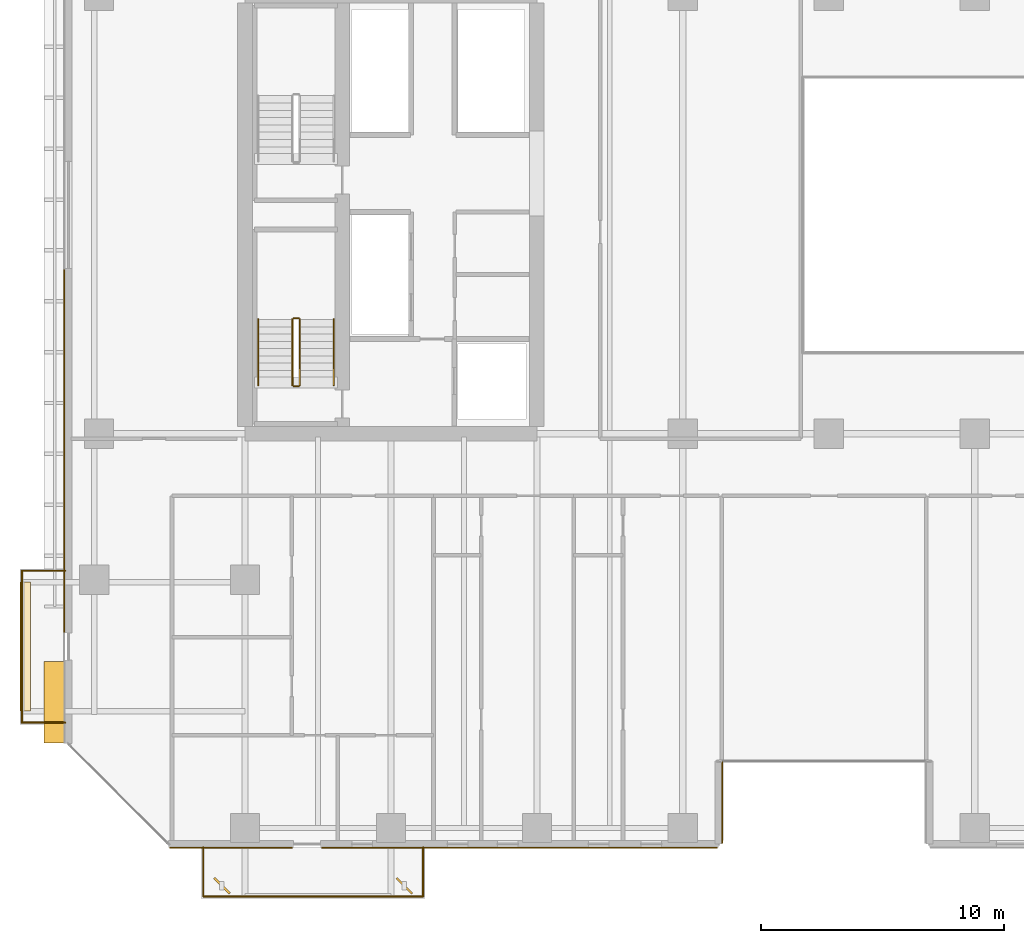
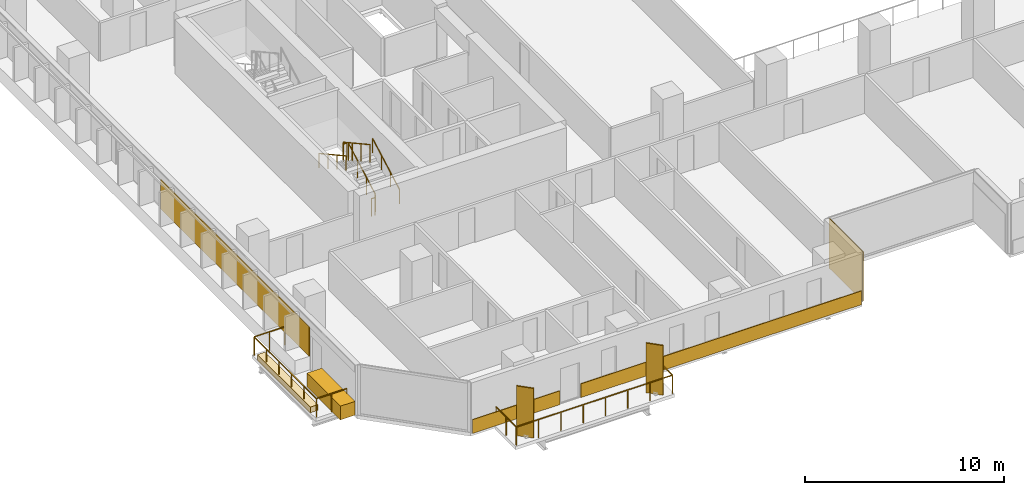
# One storey, part 25 of 33: 8 railings, 6 coverings, 2 shading devices.
"""IFC4 building model written with IfcOpenShell, lengths in metres."""

from ifc_helpers import new_model, si_unit, direction, frame, origin, origin_2d, place, context, subcontext, project, spatial, polyline, rectangle, outline, extrude, material, layer, layer_set, type_object, element, save


model = new_model("IFC4")

# Units and contexts
model_context = context("Model", 3, precision=1e-05, world=origin(), true_north=direction((0.0, 1.0)))
body_context = subcontext(model_context, "Body", "Model", "MODEL_VIEW")
ifc_project = project(units=[si_unit("LENGTHUNIT", "METRE"), si_unit("AREAUNIT", "SQUARE_METRE"), si_unit("VOLUMEUNIT", "CUBIC_METRE"), si_unit("PLANEANGLEUNIT", "RADIAN"), si_unit("MASSUNIT", "GRAM", prefix="KILO")], contexts=[model_context])

# Site, building, storey
site_placement = place(None, origin())
site = spatial("IfcSite", under=ifc_project, at=site_placement, CompositionType="ELEMENT")
building_placement = place(site_placement, origin())
building = spatial("IfcBuilding", under=site, at=building_placement, Name="Tanjung Sevakor Pilgrim Tower", CompositionType="ELEMENT")
storey_placement = place(building_placement, frame((0.0, 0.0, 35.639892578125)))
storey = spatial("IfcBuildingStorey", under=building, at=storey_placement, Name="L09", CompositionType="ELEMENT", Elevation=35.639892578125)

# Coverings
ifc_material_1 = material(Name="Reconstructed Limestone Cladding", Category="masonry")
ifc_layer_1 = layer(ifc_material_1, 0.044921875)
ifc_layer_set_1 = layer_set([ifc_layer_1], Name="COV-CLAD-LIMESTONE")
covering_type_1 = type_object("IfcCoveringType", Name="COV-CLAD-LIMESTONE", PredefinedType="CLADDING", material=ifc_layer_set_1)
covering_1_placement = place(storey_placement, frame((23.4189453125, 7.577392578125, 0.01025390625), z_axis=(0.0, 0.0, 1.0), x_axis=(1.0, 0.0, 0.0)))
element("IfcCovering", 1, at=covering_1_placement, inside=storey, type_object=covering_type_1, Name="L09 Warm Limestone Sill Spandrel EW-L09-MAIN-1-1", PredefinedType="CLADDING", context=body_context, shape_type="SweptSolid", body=[
    extrude(rectangle(XDim=5.0419921875, YDim=0.044921875, at=origin_2d()), origin(), (0.0, 0.0, 1.0), 0.840087890625),
])
covering_2_placement = place(storey_placement, frame((35.2900390625, 7.577392578125, 0.01025390625), z_axis=(0.0, 0.0, 1.0), x_axis=(1.0, 0.0, 0.0)))
element("IfcCovering", 2, at=covering_2_placement, inside=storey, type_object=covering_type_1, Name="L09 Warm Limestone Sill Spandrel EW-L09-MAIN-1-2", PredefinedType="CLADDING", context=body_context, shape_type="SweptSolid", body=[
    extrude(rectangle(XDim=16.260009765625, YDim=0.044921875, at=origin_2d()), origin(), (0.0, 0.0, 1.0), 0.840087890625),
])
covering_3_placement = place(storey_placement, frame((43.62255859375, 9.43994140625, 0.02001953125), z_axis=(0.0, 0.0, 1.0), x_axis=(0.0, 1.0, 0.0)))
element("IfcCovering", 3, at=covering_3_placement, inside=storey, type_object=covering_type_1, Name="L09 Warm Limestone Wall Cladding EW-L09-MAIN-2", PredefinedType="CLADDING", context=body_context, shape_type="SweptSolid", body=[
    extrude(rectangle(XDim=3.360107421875, YDim=0.044921875, at=origin_2d()), origin(), (0.0, 0.0, 1.0), 3.0400390625),
])
covering_4_placement = place(storey_placement, frame((16.169921875, 13.569091796875, 0.01025390625), z_axis=(0.0, 0.0, 1.0), x_axis=(0.0, -1.0, 0.0)))
element("IfcCovering", 4, at=covering_4_placement, inside=storey, type_object=covering_type_1, Name="L09 Warm Limestone Sill Spandrel EW-L09-MAIN-15-2", PredefinedType="CLADDING", context=body_context, shape_type="SweptSolid", body=[
    extrude(rectangle(XDim=3.342041015625, YDim=0.860107421875, at=origin_2d()), origin(), (0.0, 0.0, 1.0), 0.840087890625),
])
covering_5_placement = place(storey_placement, frame((16.577392578125, 23.89990234375, 0.85009765625), z_axis=(0.0, 0.0, 1.0), x_axis=(0.0, -1.0, 0.0)))
element("IfcCovering", 5, at=covering_5_placement, inside=storey, type_object=covering_type_1, Name="L09 Warm Limestone Pier Panel EW-L09-MAIN-15-2", PredefinedType="CLADDING", context=body_context, shape_type="SweptSolid", body=[
    extrude(rectangle(XDim=14.89990234375, YDim=0.044921875, at=origin_2d()), origin(), (0.0, 0.0, 1.0), 1.81005859375),
])
ifc_material_2 = material(Name="Vegetated Modular Planter Assembly", Category="organic")
ifc_layer_2 = layer(ifc_material_2, 0.35009765625)
ifc_layer_set_2 = layer_set([ifc_layer_2], Name="COV-GRN-TROUGH")
covering_type_2 = type_object("IfcCoveringType", Name="COV-GRN-TROUGH", PredefinedType="CLADDING", material=ifc_layer_set_2)
covering_6_placement = place(storey_placement, origin())
element("IfcCovering", 6, at=covering_6_placement, inside=storey, type_object=covering_type_2, Name="L09 Planted Landscape Hedge Trough BGRN-L09-MAIN-W1", PredefinedType="CLADDING", context=body_context, shape_type="SweptSolid", body=[
    extrude(outline(polyline([(15.18994140625, 13.199951171875), (15.18994140625, 18.5), (14.75, 18.5), (14.75, 13.199951171875), (15.18994140625, 13.199951171875)])), origin(), (0.0, 0.0, 1.0), 0.35009765625),
])

# Railings
ifc_material_3 = material(Name="Laminated Glass and Aluminium", Category="aluminium")
railing_type_1 = type_object("IfcRailingType", Name="RL-BAL-BALUST", PredefinedType="BALUSTRADE", material=ifc_material_3)
railing_1_placement = place(storey_placement, frame((22.280029296875, 7.60009765625, 0.0)))
element("IfcRailing", 7, at=railing_1_placement, inside=storey, type_object=railing_type_1, Name="L09 Loggia Balustrade MAIN-S1", PredefinedType="BALUSTRADE", context=body_context, shape_type="SweptSolid", body=[
    extrude(rectangle(XDim=0.0479, YDim=0.0479), frame((0.0, 0.0, 1.1259765625), z_axis=(0.0, -1.0, 0.0), x_axis=(1.0, 0.0, 0.0)), (0.0, 0.0, 1.0), 2.02001953125),
    extrude(rectangle(XDim=0.0479, YDim=0.0479), frame((0.0, -2.02001953125, 1.1259765625), z_axis=(1.0, 0.0, 0.0), x_axis=(0.0, 1.0, 0.0)), (0.0, 0.0, 1.0), 9.0400390625),
    extrude(rectangle(XDim=0.0479, YDim=0.0479), frame((9.0400390625, -2.02001953125, 1.1259765625), z_axis=(0.0, 1.0, 0.0), x_axis=(-1.0, 0.0, 0.0)), (0.0, 0.0, 1.0), 2.02001953125),
    extrude(rectangle(XDim=0.042, YDim=0.042), origin(), (0.0, 0.0, 1.0), 1.101806640625),
    extrude(rectangle(XDim=0.042, YDim=0.042), frame((0.0, -1.010009765625, 0.0)), (0.0, 0.0, 1.0), 1.101806640625),
    extrude(rectangle(XDim=0.042, YDim=0.042), frame((0.0, -2.02001953125, 0.0)), (0.0, 0.0, 1.0), 1.101806640625),
    extrude(rectangle(XDim=0.042, YDim=0.042), frame((1.29150390625, -2.02001953125, 0.0)), (0.0, 0.0, 1.0), 1.101806640625),
    extrude(rectangle(XDim=0.042, YDim=0.042), frame((2.582763671875, -2.02001953125, 0.0)), (0.0, 0.0, 1.0), 1.101806640625),
    extrude(rectangle(XDim=0.042, YDim=0.042), frame((3.874267578125, -2.02001953125, 0.0)), (0.0, 0.0, 1.0), 1.101806640625),
    extrude(rectangle(XDim=0.042, YDim=0.042), frame((5.165771484375, -2.02001953125, 0.0)), (0.0, 0.0, 1.0), 1.101806640625),
    extrude(rectangle(XDim=0.042, YDim=0.042), frame((6.457275390625, -2.02001953125, 0.0)), (0.0, 0.0, 1.0), 1.101806640625),
    extrude(rectangle(XDim=0.042, YDim=0.042), frame((7.74853515625, -2.02001953125, 0.0)), (0.0, 0.0, 1.0), 1.101806640625),
    extrude(rectangle(XDim=0.042, YDim=0.042), frame((9.0400390625, -2.02001953125, 0.0)), (0.0, 0.0, 1.0), 1.101806640625),
    extrude(rectangle(XDim=0.042, YDim=0.042), frame((9.0400390625, -1.010009765625, 0.0)), (0.0, 0.0, 1.0), 1.101806640625),
    extrude(rectangle(XDim=0.042, YDim=0.042), frame((9.0400390625, 0.0, 0.0)), (0.0, 0.0, 1.0), 1.101806640625),
])
railing_2_placement = place(storey_placement, frame((16.60009765625, 12.72998046875, 0.0)))
element("IfcRailing", 8, at=railing_2_placement, inside=storey, type_object=railing_type_1, Name="L09 Loggia Balustrade MAIN-W1", PredefinedType="BALUSTRADE", context=body_context, shape_type="SweptSolid", body=[
    extrude(rectangle(XDim=0.0479, YDim=0.0479), frame((0.0, 0.0, 1.1259765625), z_axis=(-1.0, 0.0, 0.0), x_axis=(0.0, -1.0, 0.0)), (0.0, 0.0, 1.0), 1.77001953125),
    extrude(rectangle(XDim=0.0479, YDim=0.0479), frame((-1.77001953125, 0.0, 1.1259765625), z_axis=(0.0, 1.0, 0.0), x_axis=(-1.0, 0.0, 0.0)), (0.0, 0.0, 1.0), 6.239990234375),
    extrude(rectangle(XDim=0.0479, YDim=0.0479), frame((-1.77001953125, 6.239990234375, 1.1259765625), z_axis=(1.0, 0.0, 0.0), x_axis=(0.0, 1.0, 0.0)), (0.0, 0.0, 1.0), 1.77001953125),
    extrude(rectangle(XDim=0.042, YDim=0.042), origin(), (0.0, 0.0, 1.0), 1.101806640625),
    extrude(rectangle(XDim=0.042, YDim=0.042), frame((-0.885009765625, 0.0, 0.0)), (0.0, 0.0, 1.0), 1.101806640625),
    extrude(rectangle(XDim=0.042, YDim=0.042), frame((-1.77001953125, 0.0, 0.0)), (0.0, 0.0, 1.0), 1.101806640625),
    extrude(rectangle(XDim=0.042, YDim=0.042), frame((-1.77001953125, 1.248046875, 0.0)), (0.0, 0.0, 1.0), 1.101806640625),
    extrude(rectangle(XDim=0.042, YDim=0.042), frame((-1.77001953125, 2.49609375, 0.0)), (0.0, 0.0, 1.0), 1.101806640625),
    extrude(rectangle(XDim=0.042, YDim=0.042), frame((-1.77001953125, 3.743896484375, 0.0)), (0.0, 0.0, 1.0), 1.101806640625),
    extrude(rectangle(XDim=0.042, YDim=0.042), frame((-1.77001953125, 4.991943359375, 0.0)), (0.0, 0.0, 1.0), 1.101806640625),
    extrude(rectangle(XDim=0.042, YDim=0.042), frame((-1.77001953125, 6.239990234375, 0.0)), (0.0, 0.0, 1.0), 1.101806640625),
    extrude(rectangle(XDim=0.042, YDim=0.042), frame((-0.885009765625, 6.239990234375, 0.0)), (0.0, 0.0, 1.0), 1.101806640625),
    extrude(rectangle(XDim=0.042, YDim=0.042), frame((0.0, 6.239990234375, 0.0)), (0.0, 0.0, 1.0), 1.101806640625),
])
ifc_material_4 = material(Name="Steel S355J2", Category="steel")
railing_type_2 = type_object("IfcRailingType", Name="RL-STAIR-GUARD", PredefinedType="GUARDRAIL", material=ifc_material_4)
railing_3_placement = place(storey_placement, frame((26.25, 26.60009765625, 0.1650390625)))
element("IfcRailing", 9, at=railing_3_placement, inside=storey, type_object=railing_type_2, Name="L09 TS-W1 stair guard 1", PredefinedType="GUARDRAIL", context=body_context, shape_type="SweptSolid", body=[
    extrude(rectangle(XDim=0.0479, YDim=0.0479), frame((0.0, 0.0, 1.076171875), z_axis=(0.0, 0.876197507361, 0.481952205197), x_axis=(-1.0, 0.0, 0.0)), (0.0, 0.0, 1.0), 3.08154296875),
    extrude(rectangle(XDim=0.042, YDim=0.042), origin(), (0.0, 0.0, 1.0), 1.052001953125),
    extrude(rectangle(XDim=0.042, YDim=0.042), frame((0.0, 0.89990234375, 0.4951171875)), (0.0, 0.0, 1.0), 1.052001953125),
    extrude(rectangle(XDim=0.042, YDim=0.042), frame((0.0, 1.800048828125, 0.989990234375)), (0.0, 0.0, 1.0), 1.052001953125),
    extrude(rectangle(XDim=0.042, YDim=0.042), frame((0.0, 2.699951171875, 1.485107421875)), (0.0, 0.0, 1.0), 1.052001953125),
])
railing_4_placement = place(storey_placement, frame((26.199951171875, 29.35009765625, 1.650146484375)))
element("IfcRailing", 10, at=railing_4_placement, inside=storey, type_object=railing_type_2, Name="L09 TS-W1 stair guard 2", PredefinedType="GUARDRAIL", context=body_context, shape_type="SweptSolid", body=[
    extrude(rectangle(XDim=0.0479, YDim=0.0479), frame((0.0, 0.0, 1.076171875), z_axis=(-1.0, 0.0, 0.0), x_axis=(0.0, -1.0, 0.0)), (0.0, 0.0, 1.0), 0.199951171875),
    extrude(rectangle(XDim=0.042, YDim=0.042), origin(), (0.0, 0.0, 1.0), 1.052001953125),
    extrude(rectangle(XDim=0.042, YDim=0.042), frame((-0.199951171875, 0.0, 0.0)), (0.0, 0.0, 1.0), 1.052001953125),
])
railing_5_placement = place(storey_placement, frame((25.949951171875, 29.300048828125, 1.815185546875)))
element("IfcRailing", 11, at=railing_5_placement, inside=storey, type_object=railing_type_2, Name="L09 TS-W1 stair guard 3", PredefinedType="GUARDRAIL", context=body_context, shape_type="SweptSolid", body=[
    extrude(rectangle(XDim=0.0479, YDim=0.0479), frame((0.0, 0.0, 1.076171875), z_axis=(0.0, -0.876230963923, 0.481891375584), x_axis=(1.0, 0.0, 0.0)), (0.0, 0.0, 1.0), 3.081298828125),
    extrude(rectangle(XDim=0.042, YDim=0.042), origin(), (0.0, 0.0, 1.0), 1.052001953125),
    extrude(rectangle(XDim=0.042, YDim=0.042), frame((0.0, -0.89990234375, 0.494873046875)), (0.0, 0.0, 1.0), 1.052001953125),
    extrude(rectangle(XDim=0.042, YDim=0.042), frame((0.0, -1.800048828125, 0.989990234375)), (0.0, 0.0, 1.0), 1.052001953125),
    extrude(rectangle(XDim=0.042, YDim=0.042), frame((0.0, -2.699951171875, 1.48486328125)), (0.0, 0.0, 1.0), 1.052001953125),
])
railing_6_placement = place(storey_placement, frame((26.199951171875, 26.550048828125, 0.0)))
element("IfcRailing", 12, at=railing_6_placement, inside=storey, type_object=railing_type_2, Name="L09 TS-W1 stair guard 4", PredefinedType="GUARDRAIL", context=body_context, shape_type="SweptSolid", body=[
    extrude(rectangle(XDim=0.0479, YDim=0.0479), frame((0.0, 0.0, 1.076171875), z_axis=(-1.0, 0.0, 0.0), x_axis=(0.0, -1.0, 0.0)), (0.0, 0.0, 1.0), 0.199951171875),
    extrude(rectangle(XDim=0.042, YDim=0.042), origin(), (0.0, 0.0, 1.0), 1.052001953125),
    extrude(rectangle(XDim=0.042, YDim=0.042), frame((-0.199951171875, 0.0, 0.0)), (0.0, 0.0, 1.0), 1.052001953125),
])
ifc_material_5 = material(Name="Steel S355J2", Category="steel")
railing_type_3 = type_object("IfcRailingType", Name="RL-STAIR-HAND", PredefinedType="HANDRAIL", material=ifc_material_5)
railing_7_placement = place(storey_placement, frame((27.64990234375, 26.60009765625, 0.1650390625)))
element("IfcRailing", 13, at=railing_7_placement, inside=storey, type_object=railing_type_3, Name="L09 TS-W1 stair handrail 1", PredefinedType="HANDRAIL", context=body_context, shape_type="SweptSolid", body=[
    extrude(rectangle(XDim=0.0479, YDim=0.0479), frame((0.0, 0.0, 0.8759765625), z_axis=(0.0, 0.876197507361, 0.481952205197), x_axis=(-1.0, 0.0, 0.0)), (0.0, 0.0, 1.0), 3.08154296875),
    extrude(rectangle(XDim=0.042, YDim=0.042), origin(), (0.0, 0.0, 1.0), 0.851806640625),
    extrude(rectangle(XDim=0.042, YDim=0.042), frame((0.0, 0.89990234375, 0.4951171875)), (0.0, 0.0, 1.0), 0.851806640625),
    extrude(rectangle(XDim=0.042, YDim=0.042), frame((0.0, 1.800048828125, 0.989990234375)), (0.0, 0.0, 1.0), 0.851806640625),
    extrude(rectangle(XDim=0.042, YDim=0.042), frame((0.0, 2.699951171875, 1.485107421875)), (0.0, 0.0, 1.0), 0.851806640625),
])
railing_8_placement = place(storey_placement, frame((24.550048828125, 29.300048828125, 1.815185546875)))
element("IfcRailing", 14, at=railing_8_placement, inside=storey, type_object=railing_type_3, Name="L09 TS-W1 stair handrail 2", PredefinedType="HANDRAIL", context=body_context, shape_type="SweptSolid", body=[
    extrude(rectangle(XDim=0.0479, YDim=0.0479), frame((0.0, 0.0, 0.8759765625), z_axis=(0.0, -0.876230963923, 0.481891375584), x_axis=(1.0, 0.0, 0.0)), (0.0, 0.0, 1.0), 3.081298828125),
    extrude(rectangle(XDim=0.042, YDim=0.042), origin(), (0.0, 0.0, 1.0), 0.851806640625),
    extrude(rectangle(XDim=0.042, YDim=0.042), frame((0.0, -0.89990234375, 0.494873046875)), (0.0, 0.0, 1.0), 0.851806640625),
    extrude(rectangle(XDim=0.042, YDim=0.042), frame((0.0, -1.800048828125, 0.989990234375)), (0.0, 0.0, 1.0), 0.851806640625),
    extrude(rectangle(XDim=0.042, YDim=0.042), frame((0.0, -2.699951171875, 1.48486328125)), (0.0, 0.0, 1.0), 0.851806640625),
])

# Shading devices
ifc_material_6 = material(Name="Anodised Bronze Aluminium 6063-T6", Category="aluminium")
shading_device_type = type_object("IfcShadingDeviceType", Name="SHD-FIN-900A", PredefinedType="USERDEFINED", material=ifc_material_6)
for number, where, z_axis, x_axis, name in (
    (15, (23.050048828125, 6.02001953125, 0.0), (0.0, 0.0, 1.0), (0.707106781187, 0.707106781187, 0.0), "L09 Anodised Bronze Solar Fin 0001"),
    (16, (30.550048828125, 6.02001953125, 0.0), (0.0, 0.0, 1.0), (0.707106781187, 0.707106781187, 0.0), "L09 Anodised Bronze Solar Fin 0002"),
):
    element("IfcShadingDevice", number, at=place(storey_placement, frame(where, z_axis=z_axis, x_axis=x_axis)), inside=storey, type_object=shading_device_type, Name=name, ObjectType="FIN", PredefinedType="USERDEFINED", context=body_context, shape_type="SweptSolid", body=[
        extrude(rectangle(XDim=0.080078125, YDim=0.89990234375, at=origin_2d()), origin(), (0.0, 0.0, 1.0), 3.0400390625),
    ])

save(model, "model.ifc")
